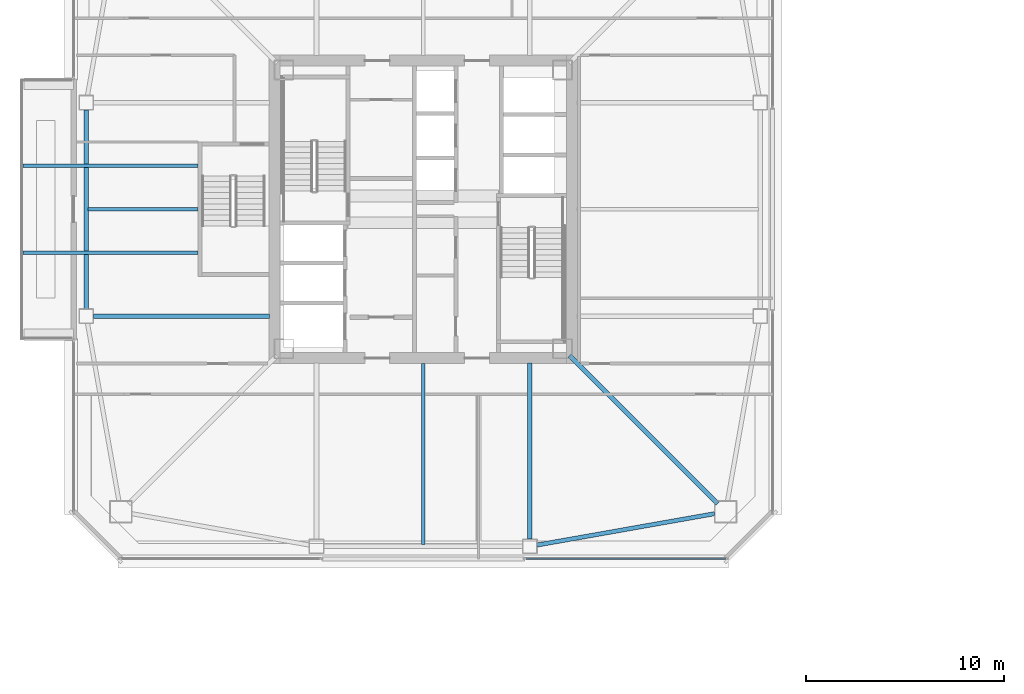
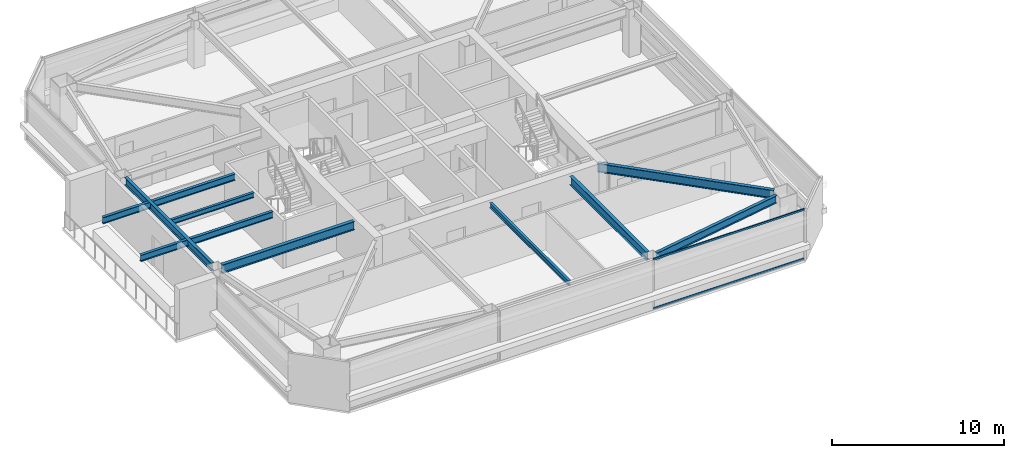
# One storey, part 6 of 41: 9 beams, 2 members, 1 element without a shape of its own.
"""IFC4 building model written with IfcOpenShell, lengths in metres."""

from ifc_helpers import new_model, si_unit, direction, frame, origin, origin_2d, place, context, subcontext, project, spatial, hollow_rectangle, i_section, extrude, material, material_profile, profile_set, type_object, element, aggregate, save


model = new_model("IFC4")

# Units and contexts
model_context = context("Model", 3, precision=1e-05, world=origin(), true_north=direction((0.0, 1.0)))
body_context = subcontext(model_context, "Body", "Model", "MODEL_VIEW")
ifc_project = project(units=[si_unit("LENGTHUNIT", "METRE"), si_unit("AREAUNIT", "SQUARE_METRE"), si_unit("VOLUMEUNIT", "CUBIC_METRE"), si_unit("PLANEANGLEUNIT", "RADIAN"), si_unit("MASSUNIT", "GRAM", prefix="KILO")], contexts=[model_context])

# Site, building, storey
site_placement = place(None, origin())
site = spatial("IfcSite", under=ifc_project, at=site_placement, CompositionType="ELEMENT")
building_placement = place(site_placement, origin())
building = spatial("IfcBuilding", under=site, at=building_placement, Name="Tashvorn Skyway Center", CompositionType="ELEMENT")
storey_placement = place(building_placement, frame((0.0, 0.0, 192.5)))
storey = spatial("IfcBuildingStorey", under=building, at=storey_placement, Name="L52", CompositionType="ELEMENT", Elevation=192.5)

# Beams
ifc_material_1 = material(Name="Steel ASTM A992 Grade 50", Category="steel")
ifc_material_profile_1 = material_profile(ifc_material_1, i_section(OverallWidth=0.22998046875, OverallDepth=0.616943359375, WebThickness=0.01318359375, FlangeThickness=0.022216796875, at=origin_2d()), Name="W24X94")
ifc_profile_set_1 = profile_set([ifc_material_profile_1], Name="Steel ASTM A992 Grade 50")
beam_type_1 = type_object("IfcBeamType", Name="BM-BEAM-W24X94", PredefinedType="BEAM", material=ifc_profile_set_1)
beam_1_placement = place(storey_placement, frame((56.89697265625, 17.10302734375, 3.0615234375), z_axis=(-0.707106781187, 0.707106781187, 0.0), x_axis=(-0.707106781187, -0.707106781187, 0.0)))
element("IfcBeam", 1, at=beam_1_placement, inside=storey, type_object=beam_type_1, Name="Tower 1 L52 Primary Floor Girder MC-SE", PredefinedType="BEAM", context=body_context, shape_type="SweptSolid", body=[
    extrude(i_section(OverallWidth=0.22998046875, OverallDepth=0.616943359375, WebThickness=0.01318359375, FlangeThickness=0.022216796875, at=origin_2d()), origin(), (0.0, 0.0, 1.0), 10.6025390625),
])
for number, where, z_axis, x_axis, name in (
    (2, (47.39990234375, 15.320068359375, 3.0615234375), (0.0, 1.0, 0.0), (-1.0, 0.0, 0.0), "Tower 1 L52 Primary Floor Girder FC-S2"),
    (3, (25.320068359375, 26.60009765625, 3.0615234375), (1.0, 0.0, 0.0), (0.0, 1.0, 0.0), "Tower 1 L52 Primary Floor Girder FC-W2"),
):
    element("IfcBeam", number, at=place(storey_placement, frame(where, z_axis=z_axis, x_axis=x_axis)), inside=storey, type_object=beam_type_1, Name=name, PredefinedType="BEAM", context=body_context, shape_type="SweptSolid", body=[
        extrude(i_section(OverallWidth=0.22998046875, OverallDepth=0.616943359375, WebThickness=0.01318359375, FlangeThickness=0.022216796875, at=origin_2d()), origin(), (0.0, 0.0, 1.0), 8.89990234375),
    ])
ifc_material_profile_2 = material_profile(ifc_material_1, i_section(OverallWidth=0.1708984375, OverallDepth=0.35498046875, WebThickness=0.007080078125, FlangeThickness=0.01171875, at=origin_2d()), Name="W14X34")
ifc_profile_set_2 = profile_set([ifc_material_profile_2], Name="Steel ASTM A992 Grade 50")
beam_type_2 = type_object("IfcBeamType", Name="BM-JOIST-W14X34", PredefinedType="JOIST", material=ifc_profile_set_2)
beam_2_placement = place(storey_placement, frame((42.0, 24.2099609375, 3.1923828125), z_axis=(0.0, -1.0, 0.0), x_axis=(1.0, 0.0, 0.0)))
element("IfcBeam", 4, at=beam_2_placement, inside=storey, type_object=beam_type_2, Name="Tower 1 L52 Secondary Composite Joist JS", PredefinedType="JOIST", context=body_context, shape_type="SweptSolid", body=[
    extrude(i_section(OverallWidth=0.1708984375, OverallDepth=0.35498046875, WebThickness=0.007080078125, FlangeThickness=0.01171875, at=origin_2d()), origin(), (0.0, 0.0, 1.0), 9.162353515625),
])
beam_3_placement = place(storey_placement, frame((30.610107421875, 32.0, 3.1923828125), z_axis=(-1.0, 0.0, 0.0), x_axis=(0.0, -1.0, 0.0)))
element("IfcBeam", 5, at=beam_3_placement, inside=storey, type_object=beam_type_2, Name="Tower 1 L52 Secondary Composite Joist JW", PredefinedType="JOIST", context=body_context, shape_type="SweptSolid", body=[
    extrude(i_section(OverallWidth=0.1708984375, OverallDepth=0.35498046875, WebThickness=0.007080078125, FlangeThickness=0.01171875, at=origin_2d()), origin(), (0.0, 0.0, 1.0), 5.5625),
])
ifc_material_profile_3 = material_profile(ifc_material_1, i_section(OverallWidth=0.19091796875, OverallDepth=0.4599609375, WebThickness=0.010009765625, FlangeThickness=0.01611328125, at=origin_2d()), Name="W18X55")
ifc_profile_set_3 = profile_set([ifc_material_profile_3], Name="Steel ASTM A992 Grade 50")
beam_type_3 = type_object("IfcBeamType", Name="BM-JOIST-W18X55", PredefinedType="JOIST", material=ifc_profile_set_3)
for number, where, z_axis, x_axis, name in (
    (6, (30.610107421875, 29.800048828125, 3.139892578125), (-1.0, 0.0, 0.0), (0.0, -1.0, 0.0), "Tower 1 L53 Terrace Cantilever Outlooker 1"),
    (7, (30.610107421875, 34.199951171875, 3.139892578125), (-1.0, 0.0, 0.0), (0.0, -1.0, 0.0), "Tower 1 L53 Terrace Cantilever Outlooker 2"),
):
    element("IfcBeam", number, at=place(storey_placement, frame(where, z_axis=z_axis, x_axis=x_axis)), inside=storey, type_object=beam_type_3, Name=name, PredefinedType="JOIST", context=body_context, shape_type="SweptSolid", body=[
        extrude(i_section(OverallWidth=0.19091796875, OverallDepth=0.4599609375, WebThickness=0.010009765625, FlangeThickness=0.01611328125, at=origin_2d()), origin(), (0.0, 0.0, 1.0), 8.860107421875),
    ])
ifc_material_profile_4 = material_profile(ifc_material_1, i_section(OverallWidth=0.2109375, OverallDepth=0.5390625, WebThickness=0.01171875, FlangeThickness=0.018798828125, at=origin_2d()), Name="W21X73")
ifc_profile_set_4 = profile_set([ifc_material_profile_4], Name="Steel ASTM A992 Grade 50")
beam_type_4 = type_object("IfcBeamType", Name="BM-SPANDREL-W21X73", PredefinedType="SPANDREL", material=ifc_profile_set_4)
beam_4_placement = place(storey_placement, frame((47.764404296875, 15.014404296875, 3.1005859375), z_axis=(0.984732545667, 0.174074160933, 0.0), x_axis=(-0.174074160933, 0.984732545667, 0.0)))
element("IfcBeam", 8, at=beam_4_placement, inside=storey, type_object=beam_type_4, Name="Tower 1 L52 Spandrel Beam 03", PredefinedType="SPANDREL", context=body_context, shape_type="SweptSolid", body=[
    extrude(i_section(OverallWidth=0.2109375, OverallDepth=0.5390625, WebThickness=0.01171875, FlangeThickness=0.018798828125, at=origin_2d()), origin(), (0.0, 0.0, 1.0), 9.113525390625),
])
beam_5_placement = place(storey_placement, frame((24.949951171875, 37.030029296875, 3.1005859375), z_axis=(0.0, -1.0, 0.0), x_axis=(1.0, 0.0, 0.0)))
element("IfcBeam", 9, at=beam_5_placement, inside=storey, type_object=beam_type_4, Name="Tower 1 L52 Spandrel Beam 11", PredefinedType="SPANDREL", context=body_context, shape_type="SweptSolid", body=[
    extrude(i_section(OverallWidth=0.2109375, OverallDepth=0.5390625, WebThickness=0.01171875, FlangeThickness=0.018798828125, at=origin_2d()), origin(), (0.0, 0.0, 1.0), 10.06005859375),
])

# Curtain wall, members
ifc_material_2 = material(Name="Thermally broken bronze-anodized aluminium 6063-T6", Category="aluminium")
curtain_wall_type = type_object("IfcCurtainWallType", Name="CW-CW-Z4", PredefinedType="NOTDEFINED", material=ifc_material_2)
curtain_wall_placement = place(storey_placement, origin())
curtain_wall = element("IfcCurtainWall", 10, at=curtain_wall_placement, inside=storey, type_object=curtain_wall_type, Name="Tower 1 L52 South Unitised Curtain Wall Glazing Group 1", PredefinedType="NOTDEFINED")
ifc_material_profile_5 = material_profile(ifc_material_2, hollow_rectangle(XDim=0.070068359375, YDim=0.1298828125, WallThickness=0.00390625, at=origin_2d()), Name="ALU-TRAN-70x130")
ifc_profile_set_5 = profile_set([ifc_material_profile_5], Name="Thermally broken bronze-anodized aluminium 6063-T6")
member_type = type_object("IfcMemberType", Name="CWT-CW-Z4", PredefinedType="USERDEFINED", material=ifc_profile_set_5)
member_1_placement = place(storey_placement, frame((57.31005859375, 14.320068359375, 0.034912109375), z_axis=(-1.0, 0.0, 0.0), x_axis=(0.0, -1.0, 0.0)))
member_1 = element("IfcMember", 11, at=member_1_placement, type_object=member_type, Name="CW-Z4 transom 1.1", ObjectType="TRANSOM", PredefinedType="USERDEFINED", context=body_context, shape_type="SweptSolid", body=[
    extrude(hollow_rectangle(XDim=0.070068359375, YDim=0.1298828125, WallThickness=0.00390625, at=origin_2d()), origin(), (0.0, 0.0, 1.0), 10.11328125),
])
member_2_placement = place(storey_placement, frame((57.31005859375, 14.320068359375, 3.514892578125), z_axis=(-1.0, 0.0, 0.0), x_axis=(0.0, -1.0, 0.0)))
member_2 = element("IfcMember", 12, at=member_2_placement, type_object=member_type, Name="CW-Z4 transom 1.2", ObjectType="TRANSOM", PredefinedType="USERDEFINED", context=body_context, shape_type="SweptSolid", body=[
    extrude(hollow_rectangle(XDim=0.070068359375, YDim=0.1298828125, WallThickness=0.00390625, at=origin_2d()), origin(), (0.0, 0.0, 1.0), 10.11328125),
])
aggregate(curtain_wall, [member_1, member_2])

save(model, "model.ifc")
